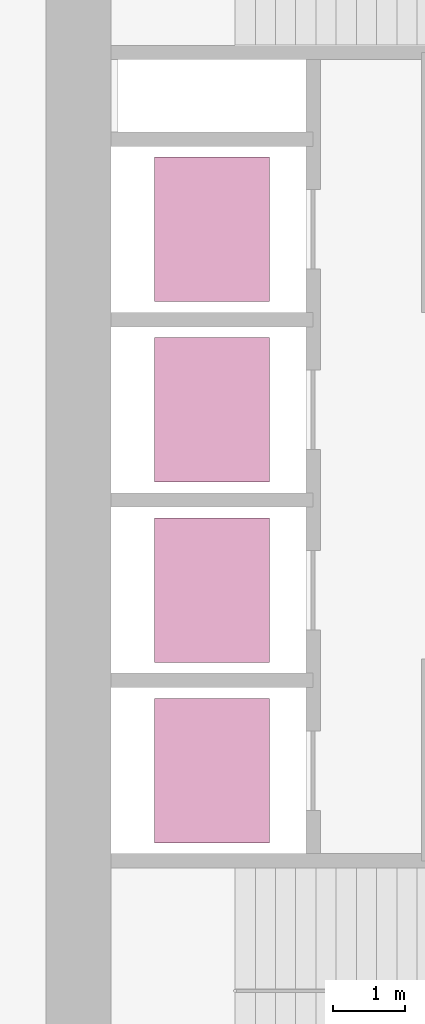
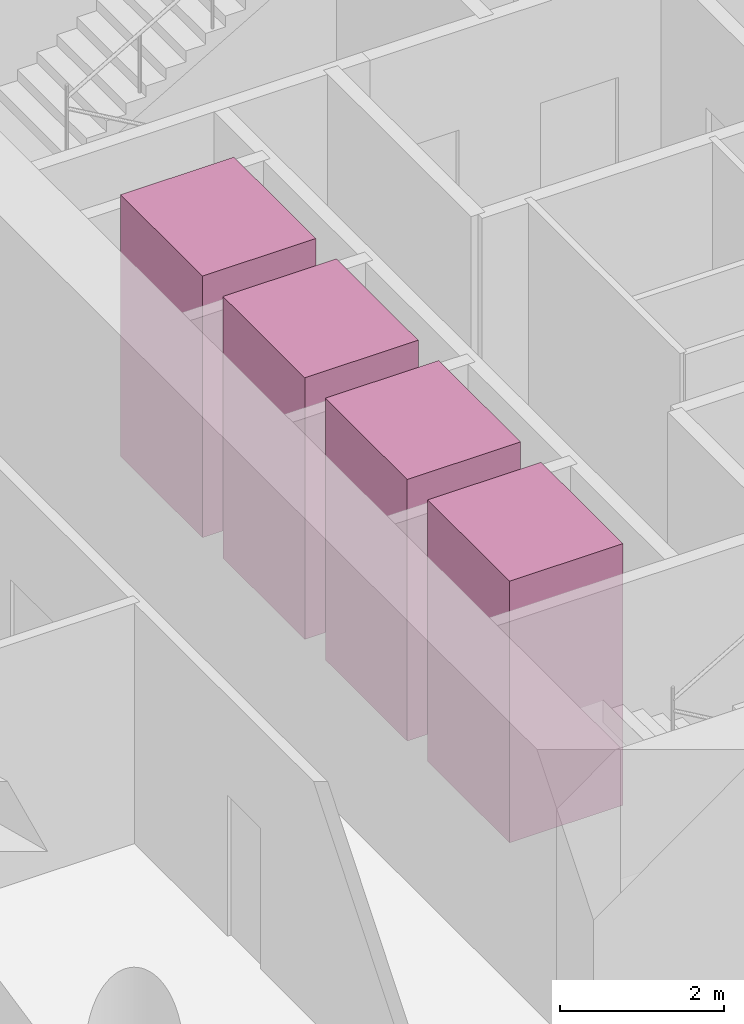
# One storey, part 10 of 10: 4 transport elements.
"""IFC4 building model written with IfcOpenShell, lengths in metres."""

from ifc_helpers import new_model, si_unit, direction, frame, origin, origin_2d, place, context, subcontext, project, spatial, rectangle, extrude, material, type_object, element, save


model = new_model("IFC4")

# Units and contexts
model_context = context("Model", 3, precision=1e-05, world=origin(), true_north=direction((0.0, 1.0)))
body_context = subcontext(model_context, "Body", "Model", "MODEL_VIEW")
ifc_project = project(units=[si_unit("LENGTHUNIT", "METRE"), si_unit("AREAUNIT", "SQUARE_METRE"), si_unit("VOLUMEUNIT", "CUBIC_METRE"), si_unit("PLANEANGLEUNIT", "RADIAN"), si_unit("MASSUNIT", "GRAM", prefix="KILO")], contexts=[model_context])

# Site, building, storey
site_placement = place(None, origin())
site = spatial("IfcSite", under=ifc_project, at=site_placement, CompositionType="ELEMENT")
building_placement = place(site_placement, origin())
building = spatial("IfcBuilding", under=site, at=building_placement, Name="Qaws Garden Tower", CompositionType="ELEMENT")
storey_placement = place(building_placement, frame((0.0, 0.0, 15.89990234375)))
storey = spatial("IfcBuildingStorey", under=building, at=storey_placement, Name="L03", CompositionType="ELEMENT", Elevation=15.89990234375)

# Transport elements
ifc_material = material(Name="Stainless steel 316", Category="steel")
transport_element_type = type_object("IfcTransportElementType", Name="Passenger lift car 2000x1600 1800 kg", PredefinedType="ELEVATOR", material=ifc_material)
for number, where, z_axis, x_axis, name in (
    (1, (10.300048828125, 13.64990234375, 0.000244140625), (0.0, 0.0, 1.0), (1.0, 0.0, 0.0), "LR1"),
    (2, (10.300048828125, 16.14990234375, 0.000244140625), (0.0, 0.0, 1.0), (1.0, 0.0, 0.0), "LR2"),
    (3, (10.300048828125, 18.64990234375, 0.000244140625), (0.0, 0.0, 1.0), (1.0, 0.0, 0.0), "LR3"),
    (4, (10.300048828125, 21.14990234375, 0.000244140625), (0.0, 0.0, 1.0), (1.0, 0.0, 0.0), "LR4"),
):
    element("IfcTransportElement", number, at=place(storey_placement, frame(where, z_axis=z_axis, x_axis=x_axis)), inside=storey, type_object=transport_element_type, Name=name, PredefinedType="ELEVATOR", context=body_context, shape_type="SweptSolid", body=[
        extrude(rectangle(XDim=1.60009765625, YDim=2.0, at=origin_2d()), origin(), (0.0, 0.0, 1.0), 3.89990234375),
    ])

save(model, "model.ifc")
